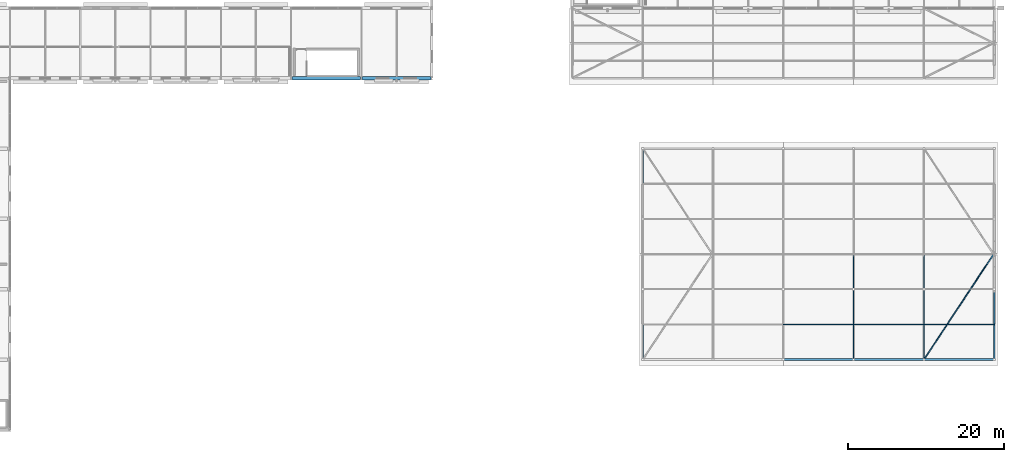
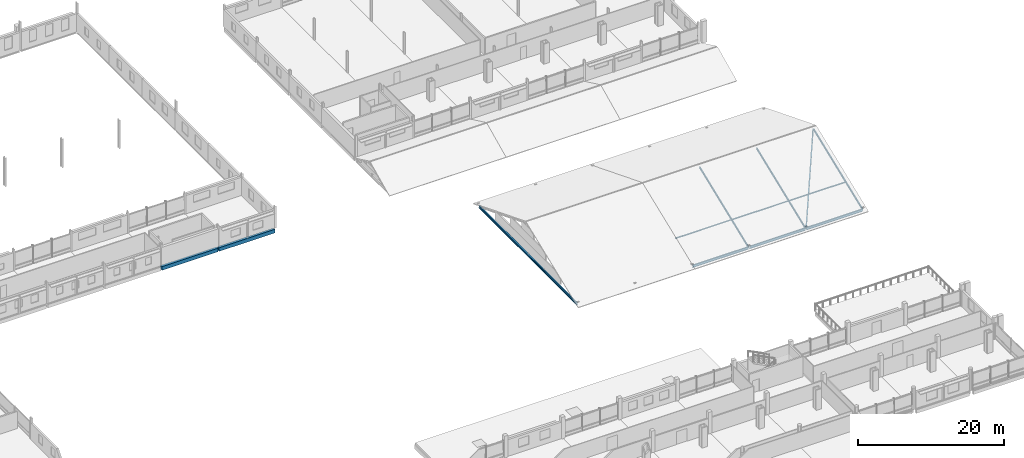
# One storey, part 63 of 132: 7 members, 6 beams.
"""IFC4 building model written with IfcOpenShell, lengths in metres."""

import ifcopenshell
import ifcopenshell.guid

model = None  # the IFC model being written
_history = None  # IfcOwnerHistory: only IFC2X3 demands one
_inside = {}  # id of a spatial element -> (the spatial element, [elements in it])
_under = {}  # id of a project, library or spatial element -> (it, [spatial elements below it])
_declared = {}  # id of a project -> (the project, [libraries it declares])
_typed = {}  # id of a type object -> (the type object, [elements of that type])
_made_of = {}  # id of a material, layer set ... -> (it, [elements and type objects made of it])


def new_model(schema):
    """Start an empty IFC model of exactly this schema.

    Asked for "IFC4X3", IfcOpenShell would pick the latest addendum, in which some entities
    have other attributes; the version numbers below select the first issue.
    IFC2X3 requires an IfcOwnerHistory on every rooted entity: one is made here for all.
    """
    global model, _history
    if schema == "IFC4X3":
        model = ifcopenshell.file(schema_version=(4, 3, 0, 0))
    else:
        model = ifcopenshell.file(schema=schema)
    _inside.clear()
    _under.clear()
    _declared.clear()
    _typed.clear()
    _made_of.clear()
    _history = None
    if model.schema == "IFC2X3":
        org = make("IfcOrganization", Name="unknown")
        user = make(
            "IfcPersonAndOrganization",
            ThePerson=make("IfcPerson", FamilyName="unknown"),
            TheOrganization=org,
        )
        app = make(
            "IfcApplication",
            ApplicationDeveloper=org,
            Version="unknown",
            ApplicationFullName="unknown",
            ApplicationIdentifier="unknown",
        )
        _history = make(
            "IfcOwnerHistory",
            OwningUser=user,
            OwningApplication=app,
            ChangeAction="ADDED",
            CreationDate=0,
        )
    return model


def make(cls, **values):
    """One entity of the class cls with the attributes given. An attribute that is None is left unset."""
    return model.create_entity(
        cls, **{name: value for name, value in values.items() if value is not None}
    )


def rooted(cls, **values):
    """An entity with a GlobalId (a new one), such as an element, a storey or a relation."""
    return make(cls, GlobalId=ifcopenshell.guid.new(), OwnerHistory=_history, **values)


def si_unit(unit_type, name, prefix=None):
    """IfcSIUnit, for example si_unit("LENGTHUNIT", "METRE", prefix="MILLI")."""
    return make("IfcSIUnit", UnitType=unit_type, Prefix=prefix, Name=name)


def assignment(units):
    """IfcUnitAssignment: the units of a project."""
    return None if units is None else make("IfcUnitAssignment", Units=units)


def point(xyz):
    """IfcCartesianPoint."""
    return None if xyz is None else make("IfcCartesianPoint", Coordinates=xyz)


def direction(xyz):
    """IfcDirection."""
    return None if xyz is None else make("IfcDirection", DirectionRatios=xyz)


def frame(location, z_axis=None, x_axis=None):
    """IfcAxis2Placement3D, a coordinate frame: its origin and axes. An axis left out is left unset."""
    return make(
        "IfcAxis2Placement3D",
        Location=point(location),
        Axis=direction(z_axis),
        RefDirection=direction(x_axis),
    )


def frame_2d(location, x_axis=None):
    """IfcAxis2Placement2D, a coordinate frame in the plane: its origin and x axis."""
    return make(
        "IfcAxis2Placement2D", Location=point(location), RefDirection=direction(x_axis)
    )


def origin():
    """The frame at (0, 0, 0) with its axes left unset."""
    return frame((0.0, 0.0, 0.0))


def origin_2d():
    """The frame at (0, 0) in the plane with its x axis left unset."""
    return frame_2d((0.0, 0.0))


def place(relative_to, where):
    """IfcLocalPlacement: puts the frame where relative to a parent placement (None: the world)."""
    return make(
        "IfcLocalPlacement", PlacementRelTo=relative_to, RelativePlacement=where
    )


def context(
    kind, dimensions, precision=None, world=None, true_north=None, identifier=None
):
    """IfcGeometricRepresentationContext, for example the 3D "Model" context."""
    return make(
        "IfcGeometricRepresentationContext",
        ContextIdentifier=identifier,
        ContextType=kind,
        CoordinateSpaceDimension=dimensions,
        Precision=precision,
        WorldCoordinateSystem=world,
        TrueNorth=true_north,
    )


def subcontext(parent, identifier, kind, view, scale=None):
    """IfcGeometricRepresentationSubContext, for example "Body" below "Model"."""
    return make(
        "IfcGeometricRepresentationSubContext",
        ContextIdentifier=identifier,
        ContextType=kind,
        ParentContext=parent,
        TargetScale=scale,
        TargetView=view,
    )


def project(units=None, contexts=None):
    """IfcProject with its units and contexts."""
    return rooted(
        "IfcProject",
        Name="project",
        RepresentationContexts=contexts,
        UnitsInContext=assignment(units),
    )


def spatial(cls, under=None, at=None, **own):
    """A site, building, storey or space (cls), placed at a placement, below another one or the project."""
    s = rooted(cls, ObjectPlacement=at, **own)
    if under is not None:
        _under.setdefault(under.id(), (under, []))[1].append(s)
    return s


def profile(cls, at=None, kind="AREA", **sizes):
    """A parametric profile (cls). Its sizes go by their IFC names, for example OverallWidth=200.0."""
    return make(cls, ProfileType=kind, Position=at, **sizes)


def rectangle(**sizes):
    """IfcRectangleProfileDef."""
    return profile("IfcRectangleProfileDef", **sizes)


def i_section(**sizes):
    """IfcIShapeProfileDef."""
    return profile("IfcIShapeProfileDef", **sizes)


def extrude(swept, where, along, depth):
    """IfcExtrudedAreaSolid: the profile swept, set in the frame where, extruded along a direction by depth."""
    return make(
        "IfcExtrudedAreaSolid",
        SweptArea=swept,
        Position=where,
        ExtrudedDirection=direction(along),
        Depth=depth,
    )


def shape(context_of_items, identifier, shape_type, items):
    """IfcShapeRepresentation: the items that make up one representation, for example the "Body"."""
    return make(
        "IfcShapeRepresentation",
        ContextOfItems=context_of_items,
        RepresentationIdentifier=identifier,
        RepresentationType=shape_type,
        Items=items,
    )


def material(Name=None, Category=None):
    """IfcMaterial."""
    return make("IfcMaterial", Name=Name, Category=Category)


def material_profile(
    of_material, cross_section, Name=None, Category=None, Priority=None
):
    """IfcMaterialProfile: a cross section and its material."""
    return make(
        "IfcMaterialProfile",
        Name=Name,
        Material=of_material,
        Profile=cross_section,
        Priority=Priority,
        Category=Category,
    )


def profile_set(profiles, Name=None, composite=None):
    """IfcMaterialProfileSet."""
    return make(
        "IfcMaterialProfileSet",
        Name=Name,
        MaterialProfiles=profiles,
        CompositeProfile=composite,
    )


def made_of(thing, what):
    """Note that an element or type object is made of a material, layer set ...; save() writes the relation."""
    if what is not None:
        _made_of.setdefault(what.id(), (what, []))[1].append(thing)
    return thing


def type_object(cls, material=None, **own):
    """A type object (cls), such as IfcWallType, which elements share."""
    return made_of(rooted(cls, **own), material)


def element(
    cls,
    number,
    at=None,
    inside=None,
    cuts=None,
    type_object=None,
    material=None,
    context=None,
    identifier="Body",
    shape_type=None,
    held_by="IfcProductDefinitionShape",
    body=None,
    shapes=None,
    **own,
):
    """One element of the class cls, such as IfcWall. Its Tag is "e" and its number.

    at: its placement. inside: the storey or other place that contains it. cuts: it is an
    opening in that element (IfcRelVoidsElement). A single representation is given by context,
    identifier, shape_type and body (its items); several are given by shapes. held_by: the class
    of the entity that holds the representations. save() writes the other relations.
    """
    e = rooted(cls, Tag="e%d" % number, ObjectPlacement=at, **own)
    if body is not None:
        shapes = [shape(context, identifier, shape_type, body)]
    if shapes is not None:
        e.Representation = make(held_by, Representations=shapes)
    if inside is not None:
        _inside.setdefault(inside.id(), (inside, []))[1].append(e)
    if cuts is not None:
        rooted(
            "IfcRelVoidsElement", RelatingBuildingElement=cuts, RelatedOpeningElement=e
        )
    if type_object is not None:
        _typed.setdefault(type_object.id(), (type_object, []))[1].append(e)
    return made_of(e, material)


def aggregate(whole, parts):
    """IfcRelAggregates: a whole, such as a stair, and the parts it consists of."""
    return rooted("IfcRelAggregates", RelatingObject=whole, RelatedObjects=parts)


def save(model, path):
    """Write the relations noted so far, then the file.

    IfcRelAggregates (storeys below a building ...), IfcRelContainedInSpatialStructure (elements
    in a storey), IfcRelDefinesByType, IfcRelAssociatesMaterial and IfcRelDeclares: one each for
    every whole, place, type object, material and project.
    """
    for whole, parts in _under.values():
        aggregate(whole, parts)
    for where, things in _inside.values():
        rooted(
            "IfcRelContainedInSpatialStructure",
            RelatedElements=things,
            RelatingStructure=where,
        )
    for kind, things in _typed.values():
        rooted("IfcRelDefinesByType", RelatedObjects=things, RelatingType=kind)
    for what, things in _made_of.values():
        rooted("IfcRelAssociatesMaterial", RelatedObjects=things, RelatingMaterial=what)
    for by, libraries in _declared.values():
        rooted("IfcRelDeclares", RelatingContext=by, RelatedDefinitions=libraries)
    model.write(path)


model = new_model("IFC4")

# Units and contexts
model_context = context("Model", 3, precision=1e-05, world=origin(), true_north=direction((0.0, 1.0)))
body_context = subcontext(model_context, "Body", "Model", "MODEL_VIEW")
ifc_project = project(units=[si_unit("LENGTHUNIT", "METRE"), si_unit("AREAUNIT", "SQUARE_METRE"), si_unit("VOLUMEUNIT", "CUBIC_METRE"), si_unit("PLANEANGLEUNIT", "RADIAN"), si_unit("MASSUNIT", "GRAM", prefix="KILO")], contexts=[model_context])

# Site, building, storey
site_placement = place(None, origin())
site = spatial("IfcSite", under=ifc_project, at=site_placement, CompositionType="ELEMENT")
building_placement = place(site_placement, origin())
building = spatial("IfcBuilding", under=site, at=building_placement, Name="Tharagai Park Tramway Depot", CompositionType="ELEMENT")
storey_placement = place(building_placement, frame((0.0, 0.0, 4.800048828125)))
storey = spatial("IfcBuildingStorey", under=building, at=storey_placement, Name="L01", CompositionType="ELEMENT", Elevation=4.800048828125)

# Beams
ifc_material_1 = material(Name="Steel E350", Category="steel")
ifc_material_profile_1 = material_profile(ifc_material_1, i_section(OverallWidth=0.199951171875, OverallDepth=0.39990234375, WebThickness=0.008544921875, FlangeThickness=0.012939453125, FilletRadius=0.013916015625, at=origin_2d()), Name="ISWB 400")
ifc_profile_set_1 = profile_set([ifc_material_profile_1], Name="Steel E350")
beam_type_1 = type_object("IfcBeamType", Name="BM-05", PredefinedType="BEAM", material=ifc_profile_set_1)
for number, where, z_axis, x_axis, name in (
    (1, (189.080078125, 54.0, -0.449951171875), (1.0, 0.0, 0.0), (0.0, 1.0, 0.0), "V6 Roof Eave Girder BM-05"),
    (2, (198.080078125, 54.0, -0.449951171875), (1.0, 0.0, 0.0), (0.0, 1.0, 0.0), "V6 Roof Eave Girder BM-05"),
    (3, (207.080078125, 54.0, -0.449951171875), (1.0, 0.0, 0.0), (0.0, 1.0, 0.0), "V6 Roof Eave Girder BM-05"),
):
    element("IfcBeam", number, at=place(storey_placement, frame(where, z_axis=z_axis, x_axis=x_axis)), inside=storey, type_object=beam_type_1, Name=name, PredefinedType="BEAM", context=body_context, shape_type="SweptSolid", body=[
        extrude(i_section(OverallWidth=0.199951171875, OverallDepth=0.39990234375, WebThickness=0.008544921875, FlangeThickness=0.012939453125, FilletRadius=0.013916015625, at=origin_2d()), origin(), (0.0, 0.0, 1.0), 8.83984375),
    ])
beam_placement = place(storey_placement, frame((171.0, 54.080078125, -0.449951171875), z_axis=(0.0, 1.0, 0.0), x_axis=(-1.0, 0.0, 0.0)))
element("IfcBeam", 4, at=beam_placement, inside=storey, type_object=beam_type_1, Name="V6 Gable Tie Girder BM-05", PredefinedType="BEAM", context=body_context, shape_type="SweptSolid", body=[
    extrude(i_section(OverallWidth=0.199951171875, OverallDepth=0.39990234375, WebThickness=0.008544921875, FlangeThickness=0.012939453125, FilletRadius=0.013916015625, at=origin_2d()), origin(), (0.0, 0.0, 1.0), 26.83984375),
])

# Members
ifc_material_profile_2 = material_profile(ifc_material_1, i_section(OverallWidth=0.110107421875, OverallDepth=0.22509765625, WebThickness=0.006591796875, FlangeThickness=0.01171875, FilletRadius=0.011962890625, at=origin_2d()), Name="ISMB 225")
ifc_profile_set_2 = profile_set([ifc_material_profile_2], Name="Steel E350")
member_type_1 = type_object("IfcMemberType", Name="BR-04", PredefinedType="BRACE", material=ifc_profile_set_2)
member_placement = place(storey_placement, frame((207.080078125, 54.080078125, -0.449951171875), z_axis=(0.522990191208, 0.793960584134, 0.310012662227), x_axis=(-0.83510413753, 0.550091882762, 0.0)))
element("IfcMember", 5, at=member_placement, inside=storey, type_object=member_type_1, Name="V6 Roof Wind Brace BR-04", PredefinedType="BRACE", context=body_context, shape_type="SweptSolid", body=[
    extrude(i_section(OverallWidth=0.110107421875, OverallDepth=0.22509765625, WebThickness=0.006591796875, FlangeThickness=0.01171875, FilletRadius=0.011962890625, at=origin_2d()), origin(), (0.0, 0.0, 1.0), 16.902587890625),
])
ifc_material_2 = material(Name="Steel E250", Category="steel")
ifc_material_profile_3 = material_profile(ifc_material_2, i_section(OverallWidth=0.070068359375, OverallDepth=0.125, WebThickness=0.00439453125, FlangeThickness=0.007080078125, FilletRadius=0.008056640625, at=origin_2d()), Name="ISMB 125")
ifc_profile_set_3 = profile_set([ifc_material_profile_3], Name="Steel E250")
member_type_2 = type_object("IfcMemberType", Name="PR-06", PredefinedType="PURLIN", material=ifc_profile_set_3)
for number, where, z_axis, x_axis, name in (
    (6, (189.02001953125, 58.5, 1.512451171875), (1.0, 0.0, 0.0), (0.0, 1.0, 0.0), "V6 Roof Purlin PR-06"),
    (7, (198.02001953125, 58.5, 1.512451171875), (1.0, 0.0, 0.0), (0.0, 1.0, 0.0), "V6 Roof Purlin PR-06"),
    (8, (207.02001953125, 58.5, 1.512451171875), (1.0, 0.0, 0.0), (0.0, 1.0, 0.0), "V6 Roof Purlin PR-06"),
):
    element("IfcMember", number, at=place(storey_placement, frame(where, z_axis=z_axis, x_axis=x_axis)), inside=storey, type_object=member_type_2, Name=name, PredefinedType="PURLIN", context=body_context, shape_type="SweptSolid", body=[
        extrude(i_section(OverallWidth=0.070068359375, OverallDepth=0.125, WebThickness=0.00439453125, FlangeThickness=0.007080078125, FilletRadius=0.008056640625, at=origin_2d()), origin(), (0.0, 0.0, 1.0), 8.9599609375),
    ])
ifc_material_profile_4 = material_profile(ifc_material_1, i_section(OverallWidth=0.139892578125, OverallDepth=0.300048828125, WebThickness=0.0078125, FlangeThickness=0.01318359375, FilletRadius=0.013916015625, at=origin_2d()), Name="ISMB 300")
ifc_profile_set_4 = profile_set([ifc_material_profile_4], Name="Steel E350")
member_type_3 = type_object("IfcMemberType", Name="RF-02", PredefinedType="RAFTER", material=ifc_profile_set_4)
for number, where, z_axis, x_axis, name in (
    (9, (198.0, 54.050048828125, -0.477783203125), (0.0, 0.929950116334, 0.367685709717), (-1.0, 0.0, 0.0), "V6 Pitched Rafter RF-02 South"),
    (10, (207.0, 54.050048828125, -0.477783203125), (0.0, 0.929950116334, 0.367685709717), (-1.0, 0.0, 0.0), "V6 Pitched Rafter RF-02 South"),
    (11, (216.0, 54.050048828125, -0.477783203125), (0.0, 0.929950116334, 0.367685709717), (-1.0, 0.0, 0.0), "V6 Pitched Rafter RF-02 South"),
):
    element("IfcMember", number, at=place(storey_placement, frame(where, z_axis=z_axis, x_axis=x_axis)), inside=storey, type_object=member_type_3, Name=name, PredefinedType="RAFTER", context=body_context, shape_type="SweptSolid", body=[
        extrude(i_section(OverallWidth=0.139892578125, OverallDepth=0.300048828125, WebThickness=0.0078125, FlangeThickness=0.01318359375, FilletRadius=0.013916015625, at=origin_2d()), origin(), (0.0, 0.0, 1.0), 14.463134765625),
    ])

# Beams
ifc_material_3 = material(Name="Concrete M35", Category="concrete")
ifc_material_profile_5 = material_profile(ifc_material_3, rectangle(XDim=0.39990234375, YDim=0.60009765625, at=origin_2d()), Name="RC 400x600")
ifc_profile_set_5 = profile_set([ifc_material_profile_5], Name="Concrete M35")
beam_type_2 = type_object("IfcBeamType", Name="SP-02", PredefinedType="SPANDREL", material=ifc_profile_set_5)
for number, where, z_axis, x_axis, name in (
    (12, (126.10009765625, 90.0, -0.47998046875), (1.0, 0.0, 0.0), (0.0, 1.0, 0.0), "L01 Grid Beam SP-02"),
    (13, (135.10009765625, 90.0, -0.47998046875), (1.0, 0.0, 0.0), (0.0, 1.0, 0.0), "L01 Grid Beam SP-02"),
):
    element("IfcBeam", number, at=place(storey_placement, frame(where, z_axis=z_axis, x_axis=x_axis)), inside=storey, type_object=beam_type_2, Name=name, PredefinedType="SPANDREL", context=body_context, shape_type="SweptSolid", body=[
        extrude(rectangle(XDim=0.39990234375, YDim=0.60009765625, at=origin_2d()), origin(), (0.0, 0.0, 1.0), 8.7998046875),
    ])

save(model, "model.ifc")
